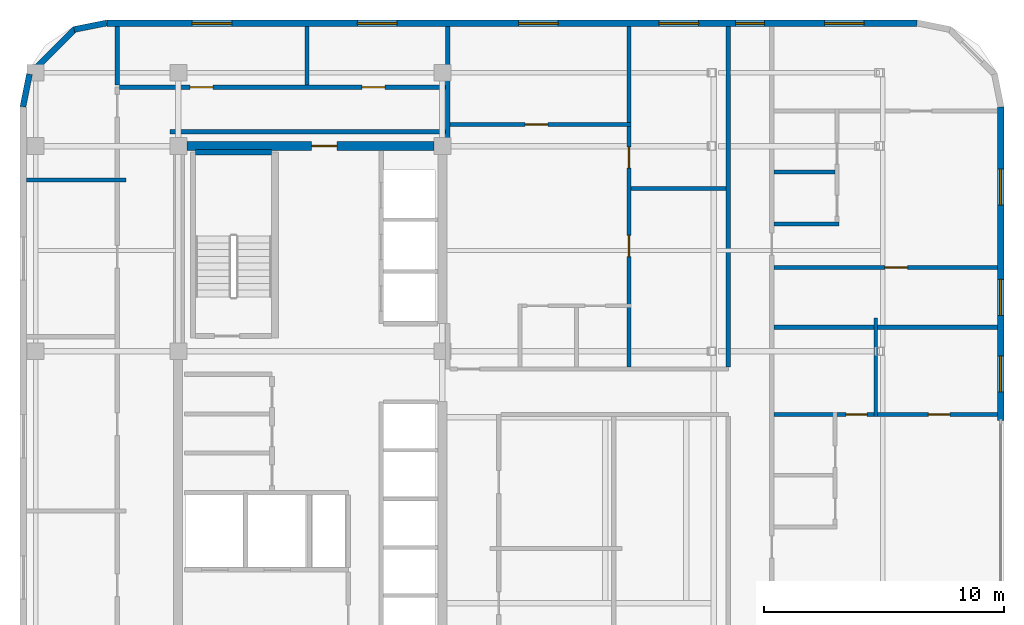
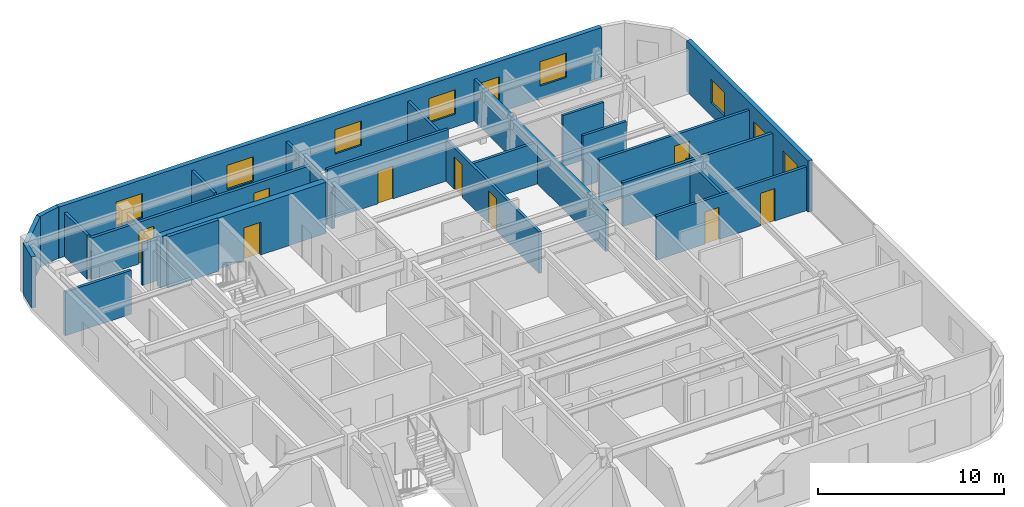
# One storey, part 7 of 9: 23 walls, 9 doors, 9 windows, 18 openings.
"""IFC4 building model written with IfcOpenShell, lengths in metres."""

from ifc_helpers import new_model, si_unit, direction, frame, frame_2d, origin, place, context, subcontext, project, spatial, rectangle, extrude, material, layer, layer_set, type_object, element, fill, save


model = new_model("IFC4")

# Units and contexts
model_context = context("Model", 3, precision=1e-05, world=origin(), true_north=direction((0.0, 1.0)))
body_context = subcontext(model_context, "Body", "Model", "MODEL_VIEW")
ifc_project = project(units=[si_unit("LENGTHUNIT", "METRE"), si_unit("AREAUNIT", "SQUARE_METRE"), si_unit("VOLUMEUNIT", "CUBIC_METRE"), si_unit("PLANEANGLEUNIT", "RADIAN"), si_unit("MASSUNIT", "GRAM", prefix="KILO")], contexts=[model_context])

# Site, building, storey
site_placement = place(None, origin())
site = spatial("IfcSite", under=ifc_project, at=site_placement, CompositionType="ELEMENT")
building_placement = place(site_placement, origin())
building = spatial("IfcBuilding", under=site, at=building_placement, Name="Ochreholt Gables", CompositionType="ELEMENT")
storey_placement = place(building_placement, frame((0.0, 0.0, 184.800048828125)))
storey = spatial("IfcBuildingStorey", under=building, at=storey_placement, Name="L48", CompositionType="ELEMENT", Elevation=184.800048828125)

# Wall, opening, door
ifc_material_1 = material(Name="Concrete 50 MPa", Category="concrete")
ifc_layer_1 = layer(ifc_material_1, 0.3798828125, Name="Concrete 50 MPa")
ifc_layer_set_1 = layer_set([ifc_layer_1], Name="Concrete 50 MPa")
wall_type_1 = type_object("IfcWallType", Name="WALL-CSW-380", PredefinedType="SHEAR", material=ifc_layer_set_1)
wall_1_placement = place(storey_placement, frame((24.550048828125, 38.75, 0.0), z_axis=(0.0, 0.0, 1.0), x_axis=(1.0, 0.0, 0.0)))
wall_1 = element("IfcWall", 1, at=wall_1_placement, inside=storey, type_object=wall_type_1, Name="L48 Core North Shear Wall", PredefinedType="SHEAR", context=body_context, shape_type="SweptSolid", body=[
    extrude(rectangle(XDim=10.300048828125, YDim=0.3798828125, at=frame_2d((5.14990234375, 0.0))), origin(), (0.0, 0.0, 1.0), 3.35986328125),
])
opening_1_placement = place(wall_1_placement, frame((5.199951171875, 0.0, 0.0)))
opening_1 = element("IfcOpeningElement", 2, at=opening_1_placement, cuts=wall_1, Name="Opening D-FLB", PredefinedType="OPENING", context=body_context, shape_type="SweptSolid", body=[
    extrude(rectangle(XDim=1.050048828125, YDim=2.14990234375, at=frame_2d((0.52490234375, 1.074951171875))), frame((0.0, 0.199951171875, 0.0), z_axis=(0.0, -1.0, 0.0), x_axis=(1.0, 0.0, 0.0)), (0.0, 0.0, 1.0), 0.39990234375),
])
ifc_material_2 = material(Name="Hollow Metal Steel", Category="steel")
door_type_1 = type_object("IfcDoorType", Name="DR-INT-FLB1050", OperationType="NOTDEFINED", PredefinedType="DOOR", material=ifc_material_2)
door_1_placement = place(opening_1_placement, frame((1.050048828125, 0.0, 0.0), z_axis=(0.0, 0.0, 1.0), x_axis=(-1.0, 0.0, 0.0)))
door_1 = element("IfcDoor", 3, at=door_1_placement, inside=storey, type_object=door_type_1, Name="L48 Door D-C2CRN-L48", OperationType="SINGLE_SWING_RIGHT", OverallHeight=2.14990234375, OverallWidth=1.050048828125, PredefinedType="DOOR", context=body_context, shape_type="SweptSolid", body=[
    extrude(rectangle(XDim=1.050048828125, YDim=2.14990234375, at=frame_2d((0.52490234375, 1.074951171875))), frame((0.0, 0.02490234375, 0.0), z_axis=(0.0, -1.0, 0.0), x_axis=(1.0, 0.0, 0.0)), (0.0, 0.0, 1.0), 0.050048828125),
])
fill(opening_1, door_1)

# Wall, openings, windows
ifc_material_3 = material(Name="Precast concrete 40 MPa", Category="concrete")
ifc_layer_2 = layer(ifc_material_3, 0.280029296875, Name="Precast concrete 40 MPa")
ifc_layer_set_2 = layer_set([ifc_layer_2], Name="Precast concrete 40 MPa")
wall_type_2 = type_object("IfcWallType", Name="WALL-EXT-280", PredefinedType="SOLIDWALL", material=ifc_layer_set_2)
wall_2_placement = place(storey_placement, frame((58.4599609375, 27.31005859375, 0.0), z_axis=(0.0, 0.0, 1.0), x_axis=(0.0, 1.0, 0.0)))
wall_2 = element("IfcWall", 4, at=wall_2_placement, inside=storey, type_object=wall_type_2, Name="L48 East Facade Wall 2", PredefinedType="SOLIDWALL", context=body_context, shape_type="SweptSolid", body=[
    extrude(rectangle(XDim=13.06982421875, YDim=0.280029296875, at=frame_2d((6.534912109375, 0.0))), origin(), (0.0, 0.0, 1.0), 3.35986328125),
])
opening_2_placement = place(wall_2_placement, frame((1.195068359375, 0.0, 0.85009765625)))
opening_2 = element("IfcOpeningElement", 5, at=opening_2_placement, cuts=wall_2, Name="Opening WN-2", PredefinedType="OPENING", context=body_context, shape_type="SweptSolid", body=[
    extrude(rectangle(XDim=1.5, YDim=1.550048828125, at=frame_2d((0.75, 0.77490234375))), frame((0.0, 0.14990234375, 0.0), z_axis=(0.0, -1.0, 0.0), x_axis=(1.0, 0.0, 0.0)), (0.0, 0.0, 1.0), 0.300048828125),
])
opening_3_placement = place(wall_2_placement, frame((4.385009765625, 0.0, 0.85009765625)))
opening_3 = element("IfcOpeningElement", 6, at=opening_3_placement, cuts=wall_2, Name="Opening WN-2", PredefinedType="OPENING", context=body_context, shape_type="SweptSolid", body=[
    extrude(rectangle(XDim=1.5, YDim=1.550048828125, at=frame_2d((0.75, 0.77490234375))), frame((0.0, 0.14990234375, 0.0), z_axis=(0.0, -1.0, 0.0), x_axis=(1.0, 0.0, 0.0)), (0.0, 0.0, 1.0), 0.300048828125),
])
opening_4_placement = place(wall_2_placement, frame((8.97509765625, 0.0, 0.85009765625)))
opening_4 = element("IfcOpeningElement", 7, at=opening_4_placement, cuts=wall_2, Name="Opening WN-2", PredefinedType="OPENING", context=body_context, shape_type="SweptSolid", body=[
    extrude(rectangle(XDim=1.5, YDim=1.550048828125, at=frame_2d((0.75, 0.77490234375))), frame((0.0, 0.14990234375, 0.0), z_axis=(0.0, -1.0, 0.0), x_axis=(1.0, 0.0, 0.0)), (0.0, 0.0, 1.0), 0.300048828125),
])
ifc_material_4 = material(Name="Triple-Glazed Thermally Broken Aluminium Window", Category="aluminium")
window_type_1 = type_object("IfcWindowType", Name="WIN-RES-1500", PartitioningType="SINGLE_PANEL", PredefinedType="WINDOW", material=ifc_material_4)
window_1_placement = place(opening_2_placement, origin())
window_1 = element("IfcWindow", 8, at=window_1_placement, inside=storey, type_object=window_type_1, Name="L48 Window W-EXT-E2-L48-1", OverallHeight=1.550048828125, OverallWidth=1.5, PartitioningType="SINGLE_PANEL", PredefinedType="WINDOW", context=body_context, shape_type="SweptSolid", body=[
    extrude(rectangle(XDim=1.5, YDim=1.550048828125, at=frame_2d((0.75, 0.77490234375))), frame((0.0, 0.030029296875, 0.0), z_axis=(0.0, -1.0, 0.0), x_axis=(1.0, 0.0, 0.0)), (0.0, 0.0, 1.0), 0.06005859375),
])
fill(opening_2, window_1)
window_2_placement = place(opening_3_placement, origin())
window_2 = element("IfcWindow", 9, at=window_2_placement, inside=storey, type_object=window_type_1, Name="L48 Window W-EXT-E2-L48-2", OverallHeight=1.550048828125, OverallWidth=1.5, PartitioningType="SINGLE_PANEL", PredefinedType="WINDOW", context=body_context, shape_type="SweptSolid", body=[
    extrude(rectangle(XDim=1.5, YDim=1.550048828125, at=frame_2d((0.75, 0.77490234375))), frame((0.0, 0.030029296875, 0.0), z_axis=(0.0, -1.0, 0.0), x_axis=(1.0, 0.0, 0.0)), (0.0, 0.0, 1.0), 0.06005859375),
])
fill(opening_3, window_2)
window_3_placement = place(opening_4_placement, origin())
window_3 = element("IfcWindow", 10, at=window_3_placement, inside=storey, type_object=window_type_1, Name="L48 Window W-EXT-E2-L48-3", OverallHeight=1.550048828125, OverallWidth=1.5, PartitioningType="SINGLE_PANEL", PredefinedType="WINDOW", context=body_context, shape_type="SweptSolid", body=[
    extrude(rectangle(XDim=1.5, YDim=1.550048828125, at=frame_2d((0.75, 0.77490234375))), frame((0.0, 0.030029296875, 0.0), z_axis=(0.0, -1.0, 0.0), x_axis=(1.0, 0.0, 0.0)), (0.0, 0.0, 1.0), 0.06005859375),
])
fill(opening_4, window_3)

wall_3_placement = place(storey_placement, frame((54.97998046875, 43.860107421875, 0.0), z_axis=(0.0, 0.0, 1.0), x_axis=(-1.0, 0.0, 0.0)))
wall_3 = element("IfcWall", 11, at=wall_3_placement, inside=storey, type_object=wall_type_2, Name="L48 North Exterior Wall", PredefinedType="SOLIDWALL", context=body_context, shape_type="SweptSolid", body=[
    extrude(rectangle(XDim=33.760009765625, YDim=0.280029296875, at=frame_2d((16.8798828125, 0.0))), origin(), (0.0, 0.0, 1.0), 3.35986328125),
])
opening_5_placement = place(wall_3_placement, frame((28.554931640625, 0.0, 0.85009765625)))
opening_5 = element("IfcOpeningElement", 12, at=opening_5_placement, cuts=wall_3, Name="Opening WN-7", PredefinedType="OPENING", context=body_context, shape_type="SweptSolid", body=[
    extrude(rectangle(XDim=1.64990234375, YDim=1.60009765625, at=frame_2d((0.824951171875, 0.800048828125))), frame((0.0, 0.14990234375, 0.0), z_axis=(0.0, -1.0, 0.0), x_axis=(1.0, 0.0, 0.0)), (0.0, 0.0, 1.0), 0.300048828125),
])
opening_6_placement = place(wall_3_placement, frame((21.669921875, 0.0, 0.85009765625)))
opening_6 = element("IfcOpeningElement", 13, at=opening_6_placement, cuts=wall_3, Name="Opening WN-7", PredefinedType="OPENING", context=body_context, shape_type="SweptSolid", body=[
    extrude(rectangle(XDim=1.64990234375, YDim=1.60009765625, at=frame_2d((0.824951171875, 0.800048828125))), frame((0.0, 0.14990234375, 0.0), z_axis=(0.0, -1.0, 0.0), x_axis=(1.0, 0.0, 0.0)), (0.0, 0.0, 1.0), 0.300048828125),
])
opening_7_placement = place(wall_3_placement, frame((14.95654296875, 0.0, 0.85009765625)))
opening_7 = element("IfcOpeningElement", 14, at=opening_7_placement, cuts=wall_3, Name="Opening WN-7", PredefinedType="OPENING", context=body_context, shape_type="SweptSolid", body=[
    extrude(rectangle(XDim=1.64990234375, YDim=1.60009765625, at=frame_2d((0.824951171875, 0.800048828125))), frame((0.0, 0.14990234375, 0.0), z_axis=(0.0, -1.0, 0.0), x_axis=(1.0, 0.0, 0.0)), (0.0, 0.0, 1.0), 0.300048828125),
])
opening_8_placement = place(wall_3_placement, frame((9.10791015625, 0.0, 0.85009765625)))
opening_8 = element("IfcOpeningElement", 15, at=opening_8_placement, cuts=wall_3, Name="Opening WN-7", PredefinedType="OPENING", context=body_context, shape_type="SweptSolid", body=[
    extrude(rectangle(XDim=1.64990234375, YDim=1.60009765625, at=frame_2d((0.824951171875, 0.800048828125))), frame((0.0, 0.14990234375, 0.0), z_axis=(0.0, -1.0, 0.0), x_axis=(1.0, 0.0, 0.0)), (0.0, 0.0, 1.0), 0.300048828125),
])
opening_9_placement = place(wall_3_placement, frame((6.363037109375, 0.0, 0.85009765625)))
opening_9 = element("IfcOpeningElement", 16, at=opening_9_placement, cuts=wall_3, Name="Opening WN-3", PredefinedType="OPENING", context=body_context, shape_type="SweptSolid", body=[
    extrude(rectangle(XDim=1.199951171875, YDim=1.5, at=frame_2d((0.60009765625, 0.75))), frame((0.0, 0.14990234375, 0.0), z_axis=(0.0, -1.0, 0.0), x_axis=(1.0, 0.0, 0.0)), (0.0, 0.0, 1.0), 0.300048828125),
])
opening_10_placement = place(wall_3_placement, frame((2.20654296875, 0.0, 0.85009765625)))
opening_10 = element("IfcOpeningElement", 17, at=opening_10_placement, cuts=wall_3, Name="Opening WN-7", PredefinedType="OPENING", context=body_context, shape_type="SweptSolid", body=[
    extrude(rectangle(XDim=1.64990234375, YDim=1.60009765625, at=frame_2d((0.824951171875, 0.800048828125))), frame((0.0, 0.14990234375, 0.0), z_axis=(0.0, -1.0, 0.0), x_axis=(1.0, 0.0, 0.0)), (0.0, 0.0, 1.0), 0.300048828125),
])
window_type_2 = type_object("IfcWindowType", Name="WIN-RES-1200", PartitioningType="SINGLE_PANEL", PredefinedType="WINDOW", material=ifc_material_4)
window_4_placement = place(opening_9_placement, origin())
window_4 = element("IfcWindow", 18, at=window_4_placement, inside=storey, type_object=window_type_2, Name="L48 Window W-EXT-N-L48-5", OverallHeight=1.5, OverallWidth=1.199951171875, PartitioningType="SINGLE_PANEL", PredefinedType="WINDOW", context=body_context, shape_type="SweptSolid", body=[
    extrude(rectangle(XDim=1.199951171875, YDim=1.5, at=frame_2d((0.60009765625, 0.75))), frame((0.0, 0.030029296875, 0.0), z_axis=(0.0, -1.0, 0.0), x_axis=(1.0, 0.0, 0.0)), (0.0, 0.0, 1.0), 0.06005859375),
])
fill(opening_9, window_4)
window_type_3 = type_object("IfcWindowType", Name="WIN-RES-1650", PartitioningType="SINGLE_PANEL", PredefinedType="WINDOW", material=ifc_material_4)
window_5_placement = place(opening_5_placement, origin())
window_5 = element("IfcWindow", 19, at=window_5_placement, inside=storey, type_object=window_type_3, Name="L48 Window W-EXT-N-L48-1", OverallHeight=1.60009765625, OverallWidth=1.64990234375, PartitioningType="SINGLE_PANEL", PredefinedType="WINDOW", context=body_context, shape_type="SweptSolid", body=[
    extrude(rectangle(XDim=1.64990234375, YDim=1.60009765625, at=frame_2d((0.824951171875, 0.800048828125))), frame((0.0, 0.030029296875, 0.0), z_axis=(0.0, -1.0, 0.0), x_axis=(1.0, 0.0, 0.0)), (0.0, 0.0, 1.0), 0.06005859375),
])
fill(opening_5, window_5)
window_6_placement = place(opening_6_placement, origin())
window_6 = element("IfcWindow", 20, at=window_6_placement, inside=storey, type_object=window_type_3, Name="L48 Window W-EXT-N-L48-2", OverallHeight=1.60009765625, OverallWidth=1.64990234375, PartitioningType="SINGLE_PANEL", PredefinedType="WINDOW", context=body_context, shape_type="SweptSolid", body=[
    extrude(rectangle(XDim=1.64990234375, YDim=1.60009765625, at=frame_2d((0.824951171875, 0.800048828125))), frame((0.0, 0.030029296875, 0.0), z_axis=(0.0, -1.0, 0.0), x_axis=(1.0, 0.0, 0.0)), (0.0, 0.0, 1.0), 0.06005859375),
])
fill(opening_6, window_6)
window_7_placement = place(opening_7_placement, origin())
window_7 = element("IfcWindow", 21, at=window_7_placement, inside=storey, type_object=window_type_3, Name="L48 Window W-EXT-N-L48-3", OverallHeight=1.60009765625, OverallWidth=1.64990234375, PartitioningType="SINGLE_PANEL", PredefinedType="WINDOW", context=body_context, shape_type="SweptSolid", body=[
    extrude(rectangle(XDim=1.64990234375, YDim=1.60009765625, at=frame_2d((0.824951171875, 0.800048828125))), frame((0.0, 0.030029296875, 0.0), z_axis=(0.0, -1.0, 0.0), x_axis=(1.0, 0.0, 0.0)), (0.0, 0.0, 1.0), 0.06005859375),
])
fill(opening_7, window_7)
window_8_placement = place(opening_8_placement, origin())
window_8 = element("IfcWindow", 22, at=window_8_placement, inside=storey, type_object=window_type_3, Name="L48 Window W-EXT-N-L48-4", OverallHeight=1.60009765625, OverallWidth=1.64990234375, PartitioningType="SINGLE_PANEL", PredefinedType="WINDOW", context=body_context, shape_type="SweptSolid", body=[
    extrude(rectangle(XDim=1.64990234375, YDim=1.60009765625, at=frame_2d((0.824951171875, 0.800048828125))), frame((0.0, 0.030029296875, 0.0), z_axis=(0.0, -1.0, 0.0), x_axis=(1.0, 0.0, 0.0)), (0.0, 0.0, 1.0), 0.06005859375),
])
fill(opening_8, window_8)
window_9_placement = place(opening_10_placement, origin())
window_9 = element("IfcWindow", 23, at=window_9_placement, inside=storey, type_object=window_type_3, Name="L48 Window W-EXT-N-L48-6", OverallHeight=1.60009765625, OverallWidth=1.64990234375, PartitioningType="SINGLE_PANEL", PredefinedType="WINDOW", context=body_context, shape_type="SweptSolid", body=[
    extrude(rectangle(XDim=1.64990234375, YDim=1.60009765625, at=frame_2d((0.824951171875, 0.800048828125))), frame((0.0, 0.030029296875, 0.0), z_axis=(0.0, -1.0, 0.0), x_axis=(1.0, 0.0, 0.0)), (0.0, 0.0, 1.0), 0.06005859375),
])
fill(opening_10, window_9)

# Walls
ifc_layer_3 = layer(ifc_material_3, 0.25, Name="Precast concrete 40 MPa")
ifc_layer_set_3 = layer_set([ifc_layer_3], Name="Precast concrete 40 MPa")
wall_type_3 = type_object("IfcWallType", Name="WALL-EXT-CNR", PredefinedType="SOLIDWALL", material=ifc_layer_set_3)
wall_4_placement = place(storey_placement, frame((21.216552734375, 43.875732421875, 0.0), z_axis=(0.0, 0.0, 1.0), x_axis=(-0.980809899341, -0.19496651342, 0.0)))
element("IfcWall", 24, at=wall_4_placement, inside=storey, type_object=wall_type_3, Name="L48 Rounded Corner Wall NW-1", PredefinedType="SOLIDWALL", context=body_context, shape_type="SweptSolid", body=[
    extrude(rectangle(XDim=1.388671875, YDim=0.25, at=frame_2d((0.6943359375, 0.0))), origin(), (0.0, 0.0, 1.0), 3.35986328125),
])
wall_5_placement = place(storey_placement, frame((19.905029296875, 43.632080078125, 0.0), z_axis=(0.0, 0.0, 1.0), x_axis=(-0.707106781187, -0.707106781187, 0.0)))
element("IfcWall", 25, at=wall_5_placement, inside=storey, type_object=wall_type_3, Name="L48 Rounded Corner Wall NW-2", PredefinedType="SOLIDWALL", context=body_context, shape_type="SweptSolid", body=[
    extrude(rectangle(XDim=2.7392578125, YDim=0.25, at=frame_2d((1.36962890625, 0.0))), origin(), (0.0, 0.0, 1.0), 3.35986328125),
])
wall_6_placement = place(storey_placement, frame((17.9951171875, 41.74560546875, 0.0), z_axis=(0.0, 0.0, 1.0), x_axis=(-0.195135625965, -0.9807762678, 0.0)))
element("IfcWall", 26, at=wall_6_placement, inside=storey, type_object=wall_type_3, Name="L48 Rounded Corner Wall NW-3", PredefinedType="SOLIDWALL", context=body_context, shape_type="SweptSolid", body=[
    extrude(rectangle(XDim=1.388671875, YDim=0.25, at=frame_2d((0.6943359375, 0.0))), origin(), (0.0, 0.0, 1.0), 3.35986328125),
])

# Wall, openings, doors
ifc_material_5 = material(Name="Fire-Rated Gypsum Acoustic Partition", Category="gypsum")
ifc_layer_4 = layer(ifc_material_5, 0.179931640625, Name="Fire-Rated Gypsum Acoustic Partition")
ifc_layer_set_4 = layer_set([ifc_layer_4], Name="Fire-Rated Gypsum Acoustic Partition")
wall_type_4 = type_object("IfcWallType", Name="WALL-INT-CR180", PredefinedType="STANDARD", material=ifc_layer_set_4)
wall_7_placement = place(storey_placement, frame((21.739990234375, 41.199951171875, 0.0), z_axis=(0.0, 0.0, 1.0), x_axis=(1.0, 0.0, 0.0)))
wall_7 = element("IfcWall", 27, at=wall_7_placement, inside=storey, type_object=wall_type_4, Name="L48 Interior Wall WI-C2WCN-L48", PredefinedType="STANDARD", context=body_context, shape_type="SweptSolid", body=[
    extrude(rectangle(XDim=13.679931640625, YDim=0.179931640625, at=frame_2d((6.83984375, 0.0))), origin(), (0.0, 0.0, 1.0), 2.72998046875),
])
opening_11_placement = place(wall_7_placement, frame((2.949951171875, 0.0, 0.0)))
opening_11 = element("IfcOpeningElement", 28, at=opening_11_placement, cuts=wall_7, Name="Opening D-GN1", PredefinedType="OPENING", context=body_context, shape_type="SweptSolid", body=[
    extrude(rectangle(XDim=0.949951171875, YDim=2.14990234375, at=frame_2d((0.47509765625, 1.074951171875))), frame((0.0, 0.099853515625, 0.0), z_axis=(0.0, -1.0, 0.0), x_axis=(1.0, 0.0, 0.0)), (0.0, 0.0, 1.0), 0.199951171875),
])
opening_12_placement = place(wall_7_placement, frame((10.110107421875, 0.0, 0.0)))
opening_12 = element("IfcOpeningElement", 29, at=opening_12_placement, cuts=wall_7, Name="Opening D-GN1", PredefinedType="OPENING", context=body_context, shape_type="SweptSolid", body=[
    extrude(rectangle(XDim=0.949951171875, YDim=2.14990234375, at=frame_2d((0.47509765625, 1.074951171875))), frame((0.0, 0.099853515625, 0.0), z_axis=(0.0, -1.0, 0.0), x_axis=(1.0, 0.0, 0.0)), (0.0, 0.0, 1.0), 0.199951171875),
])
ifc_material_6 = material(Name="Engineered Oak Timber", Category="wood")
door_type_2 = type_object("IfcDoorType", Name="DR-INT-GEN950", OperationType="NOTDEFINED", PredefinedType="DOOR", material=ifc_material_6)
door_2_placement = place(opening_11_placement, origin())
door_2 = element("IfcDoor", 30, at=door_2_placement, inside=storey, type_object=door_type_2, Name="L48 Door D-C2NRS1-L48", OperationType="SINGLE_SWING_RIGHT", OverallHeight=2.14990234375, OverallWidth=0.949951171875, PredefinedType="DOOR", context=body_context, shape_type="SweptSolid", body=[
    extrude(rectangle(XDim=0.949951171875, YDim=2.14990234375, at=frame_2d((0.47509765625, 1.074951171875))), frame((0.0, 0.02490234375, 0.0), z_axis=(0.0, -1.0, 0.0), x_axis=(1.0, 0.0, 0.0)), (0.0, 0.0, 1.0), 0.050048828125),
])
fill(opening_11, door_2)
door_3_placement = place(opening_12_placement, origin())
door_3 = element("IfcDoor", 31, at=door_3_placement, inside=storey, type_object=door_type_2, Name="L48 Door D-C2NRS2-L48", OperationType="SINGLE_SWING_LEFT", OverallHeight=2.14990234375, OverallWidth=0.949951171875, PredefinedType="DOOR", context=body_context, shape_type="SweptSolid", body=[
    extrude(rectangle(XDim=0.949951171875, YDim=2.14990234375, at=frame_2d((0.47509765625, 1.074951171875))), frame((0.0, 0.02490234375, 0.0), z_axis=(0.0, -1.0, 0.0), x_axis=(1.0, 0.0, 0.0)), (0.0, 0.0, 1.0), 0.050048828125),
])
fill(opening_12, door_3)

# Walls
wall_8_placement = place(storey_placement, frame((23.85009765625, 39.35009765625, 0.0), z_axis=(0.0, 0.0, 1.0), x_axis=(1.0, 0.0, 0.0)))
element("IfcWall", 32, at=wall_8_placement, inside=storey, type_object=wall_type_4, Name="L48 Interior Wall WI-C2WCN2-L48", PredefinedType="STANDARD", context=body_context, shape_type="SweptSolid", body=[
    extrude(rectangle(XDim=11.56982421875, YDim=0.179931640625, at=frame_2d((5.784912109375, 0.0))), origin(), (0.0, 0.0, 1.0), 2.72998046875),
])
wall_9_placement = place(storey_placement, frame((47.116943359375, 29.550048828125, 0.0), z_axis=(0.0, 0.0, 1.0), x_axis=(0.0, 1.0, 0.0)))
element("IfcWall", 33, at=wall_9_placement, inside=storey, type_object=wall_type_4, Name="L48 Interior Wall WI-C2FEGW3-L48", PredefinedType="STANDARD", context=body_context, shape_type="SweptSolid", body=[
    extrude(rectangle(XDim=14.169921875, YDim=0.179931640625, at=frame_2d((7.0849609375, 0.0))), origin(), (0.0, 0.0, 1.0), 2.72998046875),
])
ifc_material_7 = material(Name="Double-Stud Acoustic Demising Wall", Category="gypsum")
ifc_layer_5 = layer(ifc_material_7, 0.179931640625, Name="Double-Stud Acoustic Demising Wall")
ifc_layer_set_5 = layer_set([ifc_layer_5], Name="Double-Stud Acoustic Demising Wall")
wall_type_5 = type_object("IfcWallType", Name="WALL-INT-DM180", PredefinedType="PARTITIONING", material=ifc_layer_set_5)
wall_10_placement = place(storey_placement, frame((21.64990234375, 41.2900390625, 0.0), z_axis=(0.0, 0.0, 1.0), x_axis=(0.0, 1.0, 0.0)))
element("IfcWall", 34, at=wall_10_placement, inside=storey, type_object=wall_type_5, Name="L48 Interior Wall WI-C2WWN-L48", PredefinedType="PARTITIONING", context=body_context, shape_type="SweptSolid", body=[
    extrude(rectangle(XDim=2.429931640625, YDim=0.179931640625, at=frame_2d((1.21484375, 0.0))), origin(), (0.0, 0.0, 1.0), 2.87890625),
])
wall_11_placement = place(storey_placement, frame((35.419921875, 38.75, 0.0), z_axis=(0.0, 0.0, 1.0), x_axis=(0.0, 1.0, 0.0)))
element("IfcWall", 35, at=wall_11_placement, inside=storey, type_object=wall_type_5, Name="L48 Interior Wall WI-C2NEN-L48", PredefinedType="PARTITIONING", context=body_context, shape_type="SweptSolid", body=[
    extrude(rectangle(XDim=4.969970703125, YDim=0.179931640625, at=frame_2d((2.48486328125, 0.0))), origin(), (0.0, 0.0, 1.0), 2.72998046875),
])
wall_12_placement = place(storey_placement, frame((49.007080078125, 31.199951171875, 0.0), z_axis=(0.0, 0.0, 1.0), x_axis=(1.0, 0.0, 0.0)))
element("IfcWall", 36, at=wall_12_placement, inside=storey, type_object=wall_type_5, Name="L48 Interior Wall WI-C2FED3-L48", PredefinedType="PARTITIONING", context=body_context, shape_type="SweptSolid", body=[
    extrude(rectangle(XDim=9.31298828125, YDim=0.179931640625, at=frame_2d((4.656494140625, 0.0))), origin(), (0.0, 0.0, 1.0), 2.87890625),
])
ifc_material_8 = material(Name="Moisture-Resistant Plumbing Chase Wall", Category="gypsum")
ifc_layer_6 = layer(ifc_material_8, 0.159912109375, Name="Moisture-Resistant Plumbing Chase Wall")
ifc_layer_set_6 = layer_set([ifc_layer_6], Name="Moisture-Resistant Plumbing Chase Wall")
wall_type_6 = type_object("IfcWallType", Name="WALL-INT-PL160", PredefinedType="PLUMBINGWALL", material=ifc_layer_set_6)
wall_13_placement = place(storey_placement, frame((49.007080078125, 35.5029296875, 0.0), z_axis=(0.0, 0.0, 1.0), x_axis=(1.0, 0.0, 0.0)))
element("IfcWall", 37, at=wall_13_placement, inside=storey, type_object=wall_type_6, Name="L48 Interior Wall WU-L48FE3-FYS", PredefinedType="PLUMBINGWALL", context=body_context, shape_type="SweptSolid", body=[
    extrude(rectangle(XDim=2.7119140625, YDim=0.159912109375, at=frame_2d((1.35595703125, 0.0))), origin(), (0.0, 0.0, 1.0), 3.35986328125),
])
wall_14_placement = place(storey_placement, frame((49.007080078125, 37.668212890625, 0.0), z_axis=(0.0, 0.0, 1.0), x_axis=(1.0, 0.0, 0.0)))
element("IfcWall", 38, at=wall_14_placement, inside=storey, type_object=wall_type_6, Name="L48 Interior Wall WU-L48FE3-WK", PredefinedType="PLUMBINGWALL", context=body_context, shape_type="SweptSolid", body=[
    extrude(rectangle(XDim=2.552001953125, YDim=0.159912109375, at=frame_2d((1.27587890625, 0.0))), origin(), (0.0, 0.0, 1.0), 3.35986328125),
])

# Wall, openings, doors
ifc_material_9 = material(Name="Gypsum Acoustic Stud Partition", Category="gypsum")
ifc_layer_7 = layer(ifc_material_9, 0.1650390625, Name="Gypsum Acoustic Stud Partition")
ifc_layer_set_7 = layer_set([ifc_layer_7], Name="Gypsum Acoustic Stud Partition")
wall_type_7 = type_object("IfcWallType", Name="WALL-INT-PT165", PredefinedType="PARTITIONING", material=ifc_layer_set_7)
wall_15_placement = place(storey_placement, frame((42.97705078125, 29.550048828125, 0.0), z_axis=(0.0, 0.0, 1.0), x_axis=(0.0, 1.0, 0.0)))
wall_15 = element("IfcWall", 39, at=wall_15_placement, inside=storey, type_object=wall_type_7, Name="L48 Interior Wall WU-L48N1-MNX", PredefinedType="PARTITIONING", context=body_context, shape_type="SweptSolid", body=[
    extrude(rectangle(XDim=14.169921875, YDim=0.1650390625, at=frame_2d((7.0849609375, 0.0))), origin(), (0.0, 0.0, 1.0), 2.72998046875),
])
opening_13_placement = place(wall_15_placement, frame((4.592529296875, 0.0, 0.0)))
opening_13 = element("IfcOpeningElement", 40, at=opening_13_placement, cuts=wall_15, Name="Opening D-BD2", PredefinedType="OPENING", context=body_context, shape_type="SweptSolid", body=[
    extrude(rectangle(XDim=0.8798828125, YDim=2.139892578125, at=frame_2d((0.43994140625, 1.06982421875))), frame((0.0, 0.092529296875, 0.0), z_axis=(0.0, -1.0, 0.0), x_axis=(1.0, 0.0, 0.0)), (0.0, 0.0, 1.0), 0.18505859375),
])
opening_14_placement = place(wall_15_placement, frame((8.280029296875, 0.0, 0.0)))
opening_14 = element("IfcOpeningElement", 41, at=opening_14_placement, cuts=wall_15, Name="Opening D-BD2", PredefinedType="OPENING", context=body_context, shape_type="SweptSolid", body=[
    extrude(rectangle(XDim=0.8798828125, YDim=2.139892578125, at=frame_2d((0.43994140625, 1.06982421875))), frame((0.0, 0.092529296875, 0.0), z_axis=(0.0, -1.0, 0.0), x_axis=(1.0, 0.0, 0.0)), (0.0, 0.0, 1.0), 0.18505859375),
])
door_type_3 = type_object("IfcDoorType", Name="DR-INT-BED880", OperationType="NOTDEFINED", PredefinedType="DOOR", material=ifc_material_6)
door_4_placement = place(opening_13_placement, origin())
door_4 = element("IfcDoor", 42, at=door_4_placement, inside=storey, type_object=door_type_3, Name="L48 Door D-U-L48N1-BD1", OperationType="SINGLE_SWING_LEFT", OverallHeight=2.139892578125, OverallWidth=0.8798828125, PredefinedType="DOOR", context=body_context, shape_type="SweptSolid", body=[
    extrude(rectangle(XDim=0.8798828125, YDim=2.139892578125, at=frame_2d((0.43994140625, 1.06982421875))), frame((0.0, 0.02490234375, 0.0), z_axis=(0.0, -1.0, 0.0), x_axis=(1.0, 0.0, 0.0)), (0.0, 0.0, 1.0), 0.050048828125),
])
fill(opening_13, door_4)
door_5_placement = place(opening_14_placement, origin())
door_5 = element("IfcDoor", 43, at=door_5_placement, inside=storey, type_object=door_type_3, Name="L48 Door D-U-L48N1-BD2", OperationType="SINGLE_SWING_RIGHT", OverallHeight=2.139892578125, OverallWidth=0.8798828125, PredefinedType="DOOR", context=body_context, shape_type="SweptSolid", body=[
    extrude(rectangle(XDim=0.8798828125, YDim=2.139892578125, at=frame_2d((0.43994140625, 1.06982421875))), frame((0.0, 0.02490234375, 0.0), z_axis=(0.0, -1.0, 0.0), x_axis=(1.0, 0.0, 0.0)), (0.0, 0.0, 1.0), 0.050048828125),
])
fill(opening_14, door_5)

# Wall, opening, door
wall_16_placement = place(storey_placement, frame((35.510009765625, 39.64990234375, 0.0), z_axis=(0.0, 0.0, 1.0), x_axis=(1.0, 0.0, 0.0)))
wall_16 = element("IfcWall", 44, at=wall_16_placement, inside=storey, type_object=wall_type_7, Name="L48 Interior Wall WU-L48N1-DNY", PredefinedType="PARTITIONING", context=body_context, shape_type="SweptSolid", body=[
    extrude(rectangle(XDim=7.546875, YDim=0.1650390625, at=frame_2d((3.7734375, 0.0))), origin(), (0.0, 0.0, 1.0), 3.35986328125),
])
opening_15_placement = place(wall_16_placement, frame((3.138427734375, 0.0, 0.0)))
opening_15 = element("IfcOpeningElement", 45, at=opening_15_placement, cuts=wall_16, Name="Opening D-GN1", PredefinedType="OPENING", context=body_context, shape_type="SweptSolid", body=[
    extrude(rectangle(XDim=0.949951171875, YDim=2.14990234375, at=frame_2d((0.47509765625, 1.074951171875))), frame((0.0, 0.092529296875, 0.0), z_axis=(0.0, -1.0, 0.0), x_axis=(1.0, 0.0, 0.0)), (0.0, 0.0, 1.0), 0.18505859375),
])
door_6_placement = place(opening_15_placement, origin())
door_6 = element("IfcDoor", 46, at=door_6_placement, inside=storey, type_object=door_type_2, Name="L48 Door D-U-L48N1-DIN", OperationType="SINGLE_SWING_RIGHT", OverallHeight=2.14990234375, OverallWidth=0.949951171875, PredefinedType="DOOR", context=body_context, shape_type="SweptSolid", body=[
    extrude(rectangle(XDim=0.949951171875, YDim=2.14990234375, at=frame_2d((0.47509765625, 1.074951171875))), frame((0.0, 0.02490234375, 0.0), z_axis=(0.0, -1.0, 0.0), x_axis=(1.0, 0.0, 0.0)), (0.0, 0.0, 1.0), 0.050048828125),
])
fill(opening_15, door_6)

# Wall
wall_17_placement = place(storey_placement, frame((43.056884765625, 36.97998046875, 0.0), z_axis=(0.0, 0.0, 1.0), x_axis=(1.0, 0.0, 0.0)))
element("IfcWall", 47, at=wall_17_placement, inside=storey, type_object=wall_type_7, Name="L48 Interior Wall WU-L48N1-RDV", PredefinedType="PARTITIONING", context=body_context, shape_type="SweptSolid", body=[
    extrude(rectangle(XDim=3.97021484375, YDim=0.1650390625, at=frame_2d((1.985107421875, 0.0))), origin(), (0.0, 0.0, 1.0), 2.72998046875),
])

# Wall, openings, doors
wall_18_placement = place(storey_placement, frame((49.007080078125, 27.56005859375, 0.0), z_axis=(0.0, 0.0, 1.0), x_axis=(1.0, 0.0, 0.0)))
wall_18 = element("IfcWall", 48, at=wall_18_placement, inside=storey, type_object=wall_type_7, Name="L48 Interior Wall WU-L48FE2-MN", PredefinedType="PARTITIONING", context=body_context, shape_type="SweptSolid", body=[
    extrude(rectangle(XDim=9.31298828125, YDim=0.1650390625, at=frame_2d((4.656494140625, 0.0))), origin(), (0.0, 0.0, 1.0), 2.87890625),
])
opening_16_placement = place(wall_18_placement, frame((3.0078125, 0.0, 0.0)))
opening_16 = element("IfcOpeningElement", 49, at=opening_16_placement, cuts=wall_18, Name="Opening D-GN2", PredefinedType="OPENING", context=body_context, shape_type="SweptSolid", body=[
    extrude(rectangle(XDim=0.8798828125, YDim=2.1201171875, at=frame_2d((0.43994140625, 1.06005859375))), frame((0.0, 0.092529296875, 0.0), z_axis=(0.0, -1.0, 0.0), x_axis=(1.0, 0.0, 0.0)), (0.0, 0.0, 1.0), 0.18505859375),
])
opening_17_placement = place(wall_18_placement, frame((6.441162109375, 0.0, 0.0)))
opening_17 = element("IfcOpeningElement", 50, at=opening_17_placement, cuts=wall_18, Name="Opening D-BD1", PredefinedType="OPENING", context=body_context, shape_type="SweptSolid", body=[
    extrude(rectangle(XDim=0.89990234375, YDim=2.139892578125, at=frame_2d((0.449951171875, 1.06982421875))), frame((0.0, 0.092529296875, 0.0), z_axis=(0.0, -1.0, 0.0), x_axis=(1.0, 0.0, 0.0)), (0.0, 0.0, 1.0), 0.18505859375),
])
door_type_4 = type_object("IfcDoorType", Name="DR-INT-BED900", OperationType="NOTDEFINED", PredefinedType="DOOR", material=ifc_material_6)
door_7_placement = place(opening_17_placement, origin())
door_7 = element("IfcDoor", 51, at=door_7_placement, inside=storey, type_object=door_type_4, Name="L48 Door D-U-L48FE2-BD1", OperationType="SINGLE_SWING_RIGHT", OverallHeight=2.139892578125, OverallWidth=0.89990234375, PredefinedType="DOOR", context=body_context, shape_type="SweptSolid", body=[
    extrude(rectangle(XDim=0.89990234375, YDim=2.139892578125, at=frame_2d((0.449951171875, 1.06982421875))), frame((0.0, 0.02490234375, 0.0), z_axis=(0.0, -1.0, 0.0), x_axis=(1.0, 0.0, 0.0)), (0.0, 0.0, 1.0), 0.050048828125),
])
fill(opening_17, door_7)
door_type_5 = type_object("IfcDoorType", Name="DR-INT-GEN880", OperationType="NOTDEFINED", PredefinedType="DOOR", material=ifc_material_6)
door_8_placement = place(opening_16_placement, origin())
door_8 = element("IfcDoor", 52, at=door_8_placement, inside=storey, type_object=door_type_5, Name="L48 Door D-U-L48FE2-STD", OperationType="SINGLE_SWING_LEFT", OverallHeight=2.1201171875, OverallWidth=0.8798828125, PredefinedType="DOOR", context=body_context, shape_type="SweptSolid", body=[
    extrude(rectangle(XDim=0.8798828125, YDim=2.1201171875, at=frame_2d((0.43994140625, 1.06005859375))), frame((0.0, 0.02490234375, 0.0), z_axis=(0.0, -1.0, 0.0), x_axis=(1.0, 0.0, 0.0)), (0.0, 0.0, 1.0), 0.050048828125),
])
fill(opening_16, door_8)

# Wall
wall_19_placement = place(storey_placement, frame((53.25634765625, 27.47998046875, 0.0), z_axis=(0.0, 0.0, 1.0), x_axis=(0.0, 1.0, 0.0)))
element("IfcWall", 53, at=wall_19_placement, inside=storey, type_object=wall_type_7, Name="L48 Interior Wall WU-L48FE2-BSD", PredefinedType="PARTITIONING", context=body_context, shape_type="SweptSolid", body=[
    extrude(rectangle(XDim=4.110107421875, YDim=0.1650390625, at=frame_2d((2.05517578125, 0.0))), origin(), (0.0, 0.0, 1.0), 2.72998046875),
])

# Wall, opening, door
wall_20_placement = place(storey_placement, frame((49.007080078125, 33.68994140625, 0.0), z_axis=(0.0, 0.0, 1.0), x_axis=(1.0, 0.0, 0.0)))
wall_20 = element("IfcWall", 54, at=wall_20_placement, inside=storey, type_object=wall_type_7, Name="L48 Interior Wall WU-L48FE3-DNW", PredefinedType="PARTITIONING", context=body_context, shape_type="SweptSolid", body=[
    extrude(rectangle(XDim=9.31298828125, YDim=0.1650390625, at=frame_2d((4.656494140625, 0.0))), origin(), (0.0, 0.0, 1.0), 2.87890625),
])
opening_18_placement = place(wall_20_placement, frame((4.631591796875, 0.0, 0.0)))
opening_18 = element("IfcOpeningElement", 55, at=opening_18_placement, cuts=wall_20, Name="Opening D-GN1", PredefinedType="OPENING", context=body_context, shape_type="SweptSolid", body=[
    extrude(rectangle(XDim=0.949951171875, YDim=2.14990234375, at=frame_2d((0.47509765625, 1.074951171875))), frame((0.0, 0.092529296875, 0.0), z_axis=(0.0, -1.0, 0.0), x_axis=(1.0, 0.0, 0.0)), (0.0, 0.0, 1.0), 0.18505859375),
])
door_9_placement = place(opening_18_placement, origin())
door_9 = element("IfcDoor", 56, at=door_9_placement, inside=storey, type_object=door_type_2, Name="L48 Door D-U-L48FE3-DIN", OperationType="SINGLE_SWING_LEFT", OverallHeight=2.14990234375, OverallWidth=0.949951171875, PredefinedType="DOOR", context=body_context, shape_type="SweptSolid", body=[
    extrude(rectangle(XDim=0.949951171875, YDim=2.14990234375, at=frame_2d((0.47509765625, 1.074951171875))), frame((0.0, 0.02490234375, 0.0), z_axis=(0.0, -1.0, 0.0), x_axis=(1.0, 0.0, 0.0)), (0.0, 0.0, 1.0), 0.050048828125),
])
fill(opening_18, door_9)

# Walls
wall_21_placement = place(storey_placement, frame((17.8798828125, 37.324951171875, 0.0), z_axis=(0.0, 0.0, 1.0), x_axis=(1.0, 0.0, 0.0)))
element("IfcWall", 57, at=wall_21_placement, inside=storey, type_object=wall_type_7, Name="L48 Interior Wall WU-L48W3-SDV", PredefinedType="PARTITIONING", context=body_context, shape_type="SweptSolid", body=[
    extrude(rectangle(XDim=4.130126953125, YDim=0.1650390625, at=frame_2d((2.06494140625, 0.0))), origin(), (0.0, 0.0, 1.0), 2.87890625),
])
wall_22_placement = place(storey_placement, frame((29.550048828125, 41.2900390625, 0.0), z_axis=(0.0, 0.0, 1.0), x_axis=(0.0, 1.0, 0.0)))
element("IfcWall", 58, at=wall_22_placement, inside=storey, type_object=wall_type_7, Name="L48 Interior Wall WI-C2PKN-L48", PredefinedType="PARTITIONING", context=body_context, shape_type="SweptSolid", body=[
    extrude(rectangle(XDim=2.429931640625, YDim=0.1650390625, at=frame_2d((1.21484375, 0.0))), origin(), (0.0, 0.0, 1.0), 2.87890625),
])
ifc_layer_8 = layer(ifc_material_1, 0.219970703125, Name="Concrete 50 MPa")
ifc_layer_set_8 = layer_set([ifc_layer_8], Name="Concrete 50 MPa")
wall_type_8 = type_object("IfcWallType", Name="WALL-STW-220", PredefinedType="SHEAR", material=ifc_layer_set_8)
wall_23_placement = place(storey_placement, frame((24.919921875, 38.489990234375, 0.0), z_axis=(0.0, 0.0, 1.0), x_axis=(1.0, 0.0, 0.0)))
element("IfcWall", 59, at=wall_23_placement, inside=storey, type_object=wall_type_8, Name="L48 Exit Stair 2 North Wall", PredefinedType="SHEAR", context=body_context, shape_type="SweptSolid", body=[
    extrude(rectangle(XDim=3.16015625, YDim=0.219970703125, at=frame_2d((1.580078125, 0.0))), origin(), (0.0, 0.0, 1.0), 3.35986328125),
])

save(model, "model.ifc")
